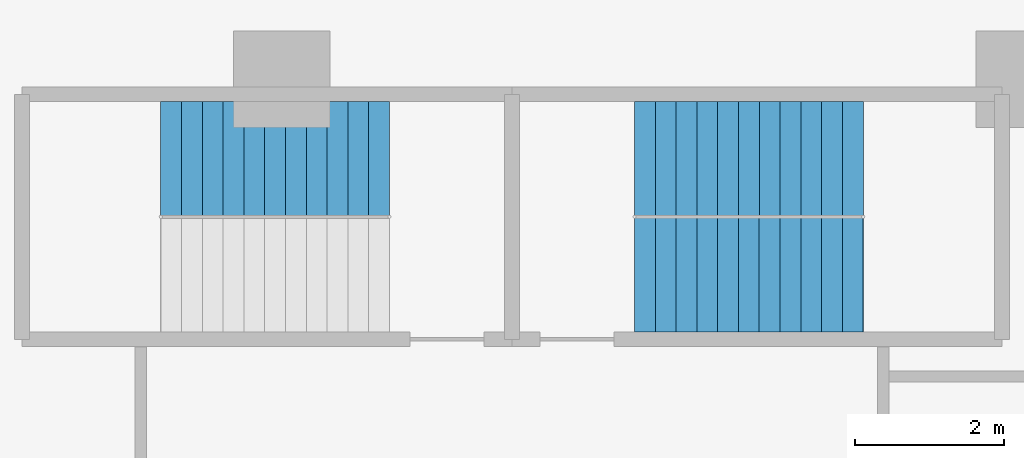
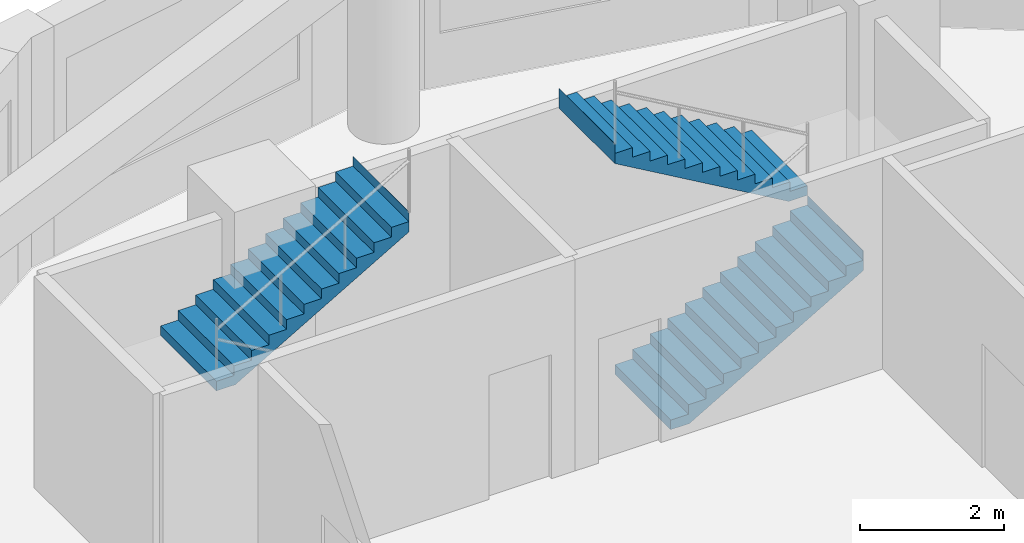
# One storey, part 7 of 9: 3 stair flights, 2 elements without a shape of their own.
"""IFC4 building model written with IfcOpenShell, lengths in metres."""

from ifc_helpers import new_model, si_unit, direction, frame, origin, place, context, subcontext, project, spatial, polyline, outline, extrude, material, type_object, element, aggregate, save


model = new_model("IFC4")

# Units and contexts
model_context = context("Model", 3, precision=1e-05, world=origin(), true_north=direction((0.0, 1.0)))
body_context = subcontext(model_context, "Body", "Model", "MODEL_VIEW")
ifc_project = project(units=[si_unit("LENGTHUNIT", "METRE"), si_unit("AREAUNIT", "SQUARE_METRE"), si_unit("VOLUMEUNIT", "CUBIC_METRE"), si_unit("PLANEANGLEUNIT", "RADIAN"), si_unit("MASSUNIT", "GRAM", prefix="KILO")], contexts=[model_context])

# Site, building, storey
site_placement = place(None, origin())
site = spatial("IfcSite", under=ifc_project, at=site_placement, CompositionType="ELEMENT")
building_placement = place(site_placement, origin())
building = spatial("IfcBuilding", under=site, at=building_placement, Name="Qaws Garden Tower", CompositionType="ELEMENT")
storey_placement = place(building_placement, frame((0.0, 0.0, 135.60009765625)))
storey = spatial("IfcBuildingStorey", under=building, at=storey_placement, Name="L32", CompositionType="ELEMENT", Elevation=135.60009765625)

# Stair, stair flight
ifc_material_1 = material(Name="Concrete C40", Category="concrete")
stair_type = type_object("IfcStairType", Name="Exit stair 1350", PredefinedType="HALF_TURN_STAIR", material=ifc_material_1)
placement = place(storey_placement, origin())
stair_1 = element("IfcStair", 1, at=placement, inside=storey, type_object=stair_type, Name="Stair 6", PredefinedType="HALF_TURN_STAIR")
ifc_material_2 = material(Name="Concrete C40", Category="concrete")
stair_flight_type = type_object("IfcStairFlightType", Name="Stair flight 1350", PredefinedType="STRAIGHT", material=ifc_material_2)
stair_flight_1_placement = place(storey_placement, frame((8.3701171875, 68.925048828125, 1.949951171875), z_axis=(0.0, 0.0, 1.0), x_axis=(1.0, 0.0, 0.0)))
stair_flight_1 = element("IfcStairFlight", 2, at=stair_flight_1_placement, type_object=stair_flight_type, Name="ST6 flight 2", NumberOfRisers=12, NumberOfTreads=11, PredefinedType="STRAIGHT", RiserHeight=0.1625, TreadLength=0.28, context=body_context, shape_type="SweptSolid", body=[
    extrude(outline(polyline([(-0.0029296875, 0.0), (-0.0029296875, 0.16259765625), (0.0, 0.16259765625), (0.280029296875, 0.16259765625), (0.280029296875, 0.324951171875), (0.56005859375, 0.324951171875), (0.56005859375, 0.487548828125), (0.840087890625, 0.487548828125), (0.840087890625, 0.64990234375), (1.1201171875, 0.64990234375), (1.1201171875, 0.8125), (1.39990234375, 0.8125), (1.39990234375, 0.97509765625), (1.679931640625, 0.97509765625), (1.679931640625, 1.137451171875), (1.9599609375, 1.137451171875), (1.9599609375, 1.300048828125), (2.239990234375, 1.300048828125), (2.239990234375, 1.46240234375), (2.52001953125, 1.46240234375), (2.52001953125, 1.625), (2.800048828125, 1.625), (2.800048828125, 1.78759765625), (3.080078125, 1.78759765625), (3.080078125, 1.949951171875), (3.0830078125, 1.949951171875), (3.0830078125, 1.6142578125), (3.080078125, 1.6142578125), (0.298583984375, 0.0), (-0.0029296875, 0.0)])), frame((0.0, 0.77490234375, 0.0), z_axis=(0.0, -1.0, 0.0), x_axis=(1.0, 0.0, 0.0)), (0.0, 0.0, 1.0), 1.550048828125),
])
aggregate(stair_1, [stair_flight_1])

# Stair, stair flights
stair_2 = element("IfcStair", 3, at=placement, inside=storey, type_object=stair_type, Name="Stair 7", PredefinedType="HALF_TURN_STAIR")
stair_flight_2_placement = place(storey_placement, frame((14.75, 67.375, 0.0), z_axis=(0.0, 0.0, 1.0), x_axis=(1.0, 0.0, 0.0)))
stair_flight_2 = element("IfcStairFlight", 4, at=stair_flight_2_placement, type_object=stair_flight_type, Name="ST7 flight 1", NumberOfRisers=12, NumberOfTreads=11, PredefinedType="STRAIGHT", RiserHeight=0.1625, TreadLength=0.28, context=body_context, shape_type="SweptSolid", body=[
    extrude(outline(polyline([(-0.0029296875, 0.0), (-0.0029296875, 0.16259765625), (0.0, 0.16259765625), (0.280029296875, 0.16259765625), (0.280029296875, 0.324951171875), (0.56005859375, 0.324951171875), (0.56005859375, 0.487548828125), (0.840087890625, 0.487548828125), (0.840087890625, 0.64990234375), (1.1201171875, 0.64990234375), (1.1201171875, 0.8125), (1.39990234375, 0.8125), (1.39990234375, 0.97509765625), (1.679931640625, 0.97509765625), (1.679931640625, 1.137451171875), (1.9599609375, 1.137451171875), (1.9599609375, 1.300048828125), (2.239990234375, 1.300048828125), (2.239990234375, 1.46240234375), (2.52001953125, 1.46240234375), (2.52001953125, 1.625), (2.800048828125, 1.625), (2.800048828125, 1.78759765625), (3.080078125, 1.78759765625), (3.080078125, 1.949951171875), (3.0830078125, 1.949951171875), (3.0830078125, 1.6142578125), (3.080078125, 1.6142578125), (0.298583984375, 0.0), (-0.0029296875, 0.0)])), frame((0.0, 0.77490234375, 0.0), z_axis=(0.0, -1.0, 0.0), x_axis=(1.0, 0.0, 0.0)), (0.0, 0.0, 1.0), 1.550048828125),
])
stair_flight_3_placement = place(storey_placement, frame((17.830078125, 68.925048828125, 1.949951171875), z_axis=(0.0, 0.0, 1.0), x_axis=(-1.0, 0.0, 0.0)))
stair_flight_3 = element("IfcStairFlight", 5, at=stair_flight_3_placement, type_object=stair_flight_type, Name="ST7 flight 2", NumberOfRisers=12, NumberOfTreads=11, PredefinedType="STRAIGHT", RiserHeight=0.1625, TreadLength=0.28, context=body_context, shape_type="SweptSolid", body=[
    extrude(outline(polyline([(-0.0029296875, 0.0), (-0.0029296875, 0.16259765625), (0.0, 0.16259765625), (0.280029296875, 0.16259765625), (0.280029296875, 0.324951171875), (0.56005859375, 0.324951171875), (0.56005859375, 0.487548828125), (0.840087890625, 0.487548828125), (0.840087890625, 0.64990234375), (1.1201171875, 0.64990234375), (1.1201171875, 0.8125), (1.39990234375, 0.8125), (1.39990234375, 0.97509765625), (1.679931640625, 0.97509765625), (1.679931640625, 1.137451171875), (1.9599609375, 1.137451171875), (1.9599609375, 1.300048828125), (2.239990234375, 1.300048828125), (2.239990234375, 1.46240234375), (2.52001953125, 1.46240234375), (2.52001953125, 1.625), (2.800048828125, 1.625), (2.800048828125, 1.78759765625), (3.080078125, 1.78759765625), (3.080078125, 1.949951171875), (3.0830078125, 1.949951171875), (3.0830078125, 1.6142578125), (3.080078125, 1.6142578125), (0.298583984375, 0.0), (-0.0029296875, 0.0)])), frame((0.0, 0.77490234375, 0.0), z_axis=(0.0, -1.0, 0.0), x_axis=(1.0, 0.0, 0.0)), (0.0, 0.0, 1.0), 1.550048828125),
])
aggregate(stair_2, [stair_flight_2, stair_flight_3])

save(model, "model.ifc")
